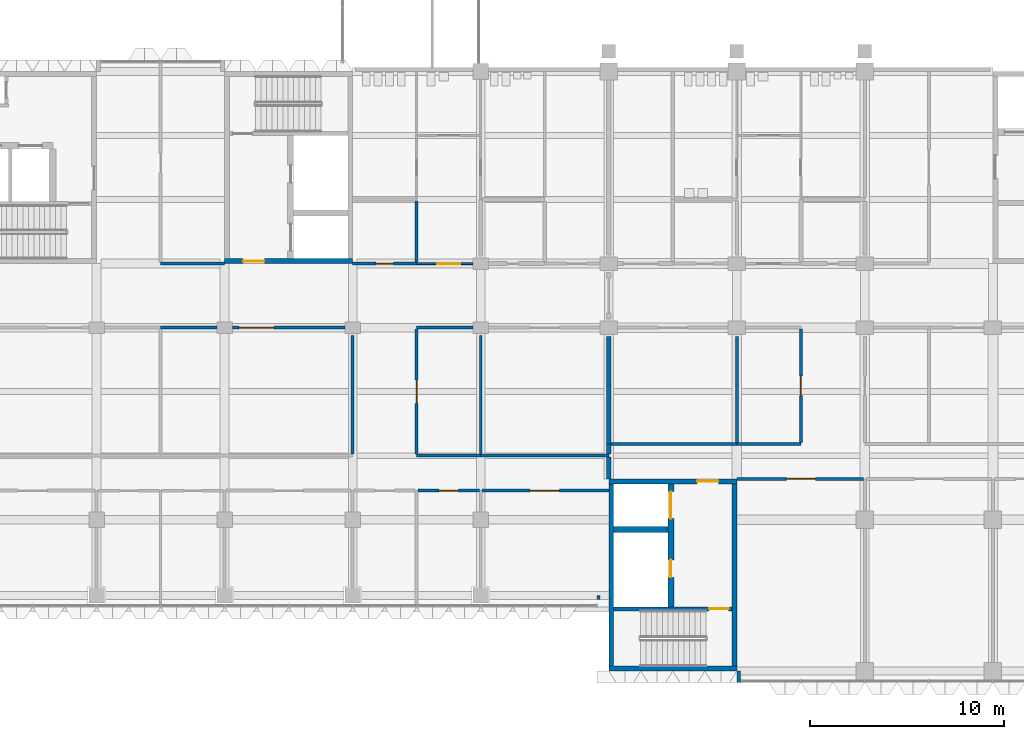
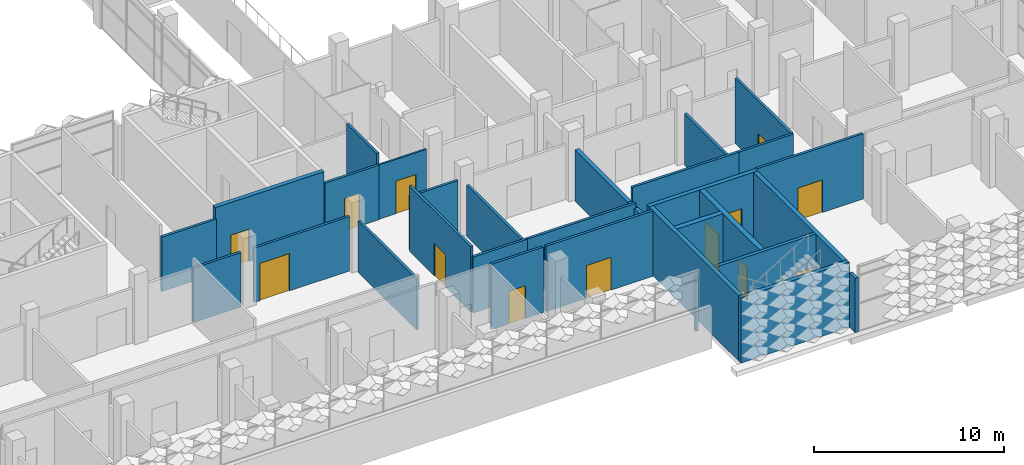
# One storey, part 42 of 102: 32 walls, 13 doors, 13 openings.
"""IFC4 building model written with IfcOpenShell, lengths in metres."""

from ifc_helpers import new_model, si_unit, direction, frame, frame_2d, origin, place, context, subcontext, project, spatial, rectangle, extrude, material, layer, layer_set, type_object, element, fill, save


model = new_model("IFC4")

# Units and contexts
model_context = context("Model", 3, precision=1e-05, world=origin(), true_north=direction((0.0, 1.0)))
body_context = subcontext(model_context, "Body", "Model", "MODEL_VIEW")
ifc_project = project(units=[si_unit("LENGTHUNIT", "METRE"), si_unit("AREAUNIT", "SQUARE_METRE"), si_unit("VOLUMEUNIT", "CUBIC_METRE"), si_unit("PLANEANGLEUNIT", "RADIAN"), si_unit("MASSUNIT", "GRAM", prefix="KILO")], contexts=[model_context])

# Site, building, storey
site_placement = place(None, origin())
site = spatial("IfcSite", under=ifc_project, at=site_placement, CompositionType="ELEMENT")
building_placement = place(site_placement, origin())
building = spatial("IfcBuilding", under=site, at=building_placement, Name="Lantern Court Research Institute", CompositionType="ELEMENT")
storey_placement = place(building_placement, frame((0.0, 0.0, 9.89990234375)))
storey = spatial("IfcBuildingStorey", under=building, at=storey_placement, Name="L02", CompositionType="ELEMENT", Elevation=9.89990234375)

# Walls
ifc_material_1 = material(Name="Aluminium alloy 6063-T6", Category="aluminium")
ifc_layer_1 = layer(ifc_material_1, 0.14990234375)
ifc_layer_set_1 = layer_set([ifc_layer_1], Name="Aluminium alloy 6063-T6")
wall_type_1 = type_object("IfcWallType", Name="Entrance screen wall 150 aluminium", PredefinedType="STANDARD", material=ifc_layer_set_1)
wall_1_placement = place(storey_placement, frame((52.27490234375, -4.10009765625, 0.0), z_axis=(0.0, 0.0, 1.0), x_axis=(0.0, 1.0, 0.0)))
element("IfcWall", 1, at=wall_1_placement, inside=storey, type_object=wall_type_1, Name="Exterior wall EW143", PredefinedType="STANDARD", context=body_context, shape_type="SweptSolid", body=[
    extrude(rectangle(XDim=0.2001953125, YDim=0.14990234375, at=frame_2d((0.10009765625, 0.0))), origin(), (0.0, 0.0, 1.0), 3.5),
])
ifc_material_2 = material(Name="Fire-rated gypsum board partition, mineral wool filled")
ifc_layer_2 = layer(ifc_material_2, 0.14990234375)
ifc_layer_set_2 = layer_set([ifc_layer_2], Name="Fire-rated gypsum board partition, mineral wool filled")
wall_type_2 = type_object("IfcWallType", Name="Laboratory partition 150 EI 60", PredefinedType="PARTITIONING", material=ifc_layer_set_2)
wall_2_placement = place(storey_placement, frame((33.0, 13.199951171875, 0.0), z_axis=(0.0, 0.0, 1.0), x_axis=(-1.0, 0.0, 0.0)))
element("IfcWall", 2, at=wall_2_placement, inside=storey, type_object=wall_type_2, Name="Laboratory partition 150 EI 60", PredefinedType="PARTITIONING", context=body_context, shape_type="SweptSolid", body=[
    extrude(rectangle(XDim=3.300048828125, YDim=0.14990234375, at=frame_2d((1.64990234375, 0.0))), origin(), (0.0, 0.0, 1.0), 3.5),
])

# Wall, opening, door
wall_3_placement = place(storey_placement, frame((42.89990234375, 13.199951171875, 0.0), z_axis=(0.0, 0.0, 1.0), x_axis=(-1.0, 0.0, 0.0)))
wall_3 = element("IfcWall", 3, at=wall_3_placement, inside=storey, type_object=wall_type_2, Name="Laboratory partition 150 EI 60", PredefinedType="PARTITIONING", context=body_context, shape_type="SweptSolid", body=[
    extrude(rectangle(XDim=3.2998046875, YDim=0.14990234375, at=frame_2d((1.64990234375, 0.0))), origin(), (0.0, 0.0, 1.0), 3.5),
])
opening_1_placement = place(wall_3_placement, frame((1.199951171875, 0.0, 0.0)))
opening_1 = element("IfcOpeningElement", 4, at=opening_1_placement, cuts=wall_3, Name="Opening D4205", PredefinedType="OPENING", context=body_context, shape_type="SweptSolid", body=[
    extrude(rectangle(XDim=0.89990234375, YDim=2.10009765625, at=frame_2d((0.449951171875, 1.050048828125))), frame((0.0, 0.0849609375, 0.0), z_axis=(0.0, -1.0, 0.0), x_axis=(1.0, 0.0, 0.0)), (0.0, 0.0, 1.0), 0.169921875),
])
ifc_material_3 = material(Name="Solid-core timber door leaf", Category="wood")
ifc_layer_3 = layer(ifc_material_3, 0.053955078125)
ifc_layer_set_3 = layer_set([ifc_layer_3], Name="Solid-core timber door leaf")
door_type_1 = type_object("IfcDoorType", Name="Cleaners store door 900 x 2100 single FD30S", OperationType="NOTDEFINED", PredefinedType="DOOR", material=ifc_layer_set_3)
door_1_placement = place(opening_1_placement, origin())
door_1 = element("IfcDoor", 5, at=door_1_placement, inside=storey, type_object=door_type_1, Name="Door D4205", OperationType="SINGLE_SWING_LEFT", OverallHeight=2.10009765625, OverallWidth=0.89990234375, PredefinedType="DOOR", context=body_context, shape_type="SweptSolid", body=[
    extrude(rectangle(XDim=0.89990234375, YDim=2.10009765625, at=frame_2d((0.449951171875, 1.050048828125))), frame((0.0, 0.02685546875, 0.0), z_axis=(0.0, -1.0, 0.0), x_axis=(1.0, 0.0, 0.0)), (0.0, 0.0, 1.0), 0.053955078125),
])
fill(opening_1, door_1)

# Wall
wall_4_placement = place(storey_placement, frame((29.699951171875, 9.89990234375, 0.0), z_axis=(0.0, 0.0, 1.0), x_axis=(1.0, 0.0, 0.0)))
element("IfcWall", 6, at=wall_4_placement, inside=storey, type_object=wall_type_2, Name="Laboratory partition 150 EI 60", PredefinedType="PARTITIONING", context=body_context, shape_type="SweptSolid", body=[
    extrude(rectangle(XDim=2.900146484375, YDim=0.14990234375, at=frame_2d((1.4501953125, 0.0))), origin(), (0.0, 0.0, 1.0), 3.5),
])

# Wall, opening, door
wall_5_placement = place(storey_placement, frame((33.39990234375, 9.89990234375, 0.0), z_axis=(0.0, 0.0, 1.0), x_axis=(1.0, 0.0, 0.0)))
wall_5 = element("IfcWall", 7, at=wall_5_placement, inside=storey, type_object=wall_type_2, Name="Laboratory partition 150 EI 60", PredefinedType="PARTITIONING", context=body_context, shape_type="SweptSolid", body=[
    extrude(rectangle(XDim=5.800048828125, YDim=0.14990234375, at=frame_2d((2.89990234375, 0.0))), origin(), (0.0, 0.0, 1.0), 3.5),
])
opening_2_placement = place(wall_5_placement, frame((0.35009765625, 0.0, 0.0)))
opening_2 = element("IfcOpeningElement", 8, at=opening_2_placement, cuts=wall_5, Name="Opening D4227", PredefinedType="OPENING", context=body_context, shape_type="SweptSolid", body=[
    extrude(rectangle(XDim=1.800048828125, YDim=2.39990234375, at=frame_2d((0.89990234375, 1.199951171875))), frame((0.0, 0.0849609375, 0.0), z_axis=(0.0, -1.0, 0.0), x_axis=(1.0, 0.0, 0.0)), (0.0, 0.0, 1.0), 0.169921875),
])
ifc_material_4 = material(Name="Solid-core timber door leaf with vision panel", Category="wood")
ifc_layer_4 = layer(ifc_material_4, 0.053955078125)
ifc_layer_set_4 = layer_set([ifc_layer_4], Name="Solid-core timber door leaf with vision panel")
door_type_2 = type_object("IfcDoorType", Name="Laboratory equipment door 1800 x 2400 pair FD30S", OperationType="DOUBLE_DOOR_SINGLE_SWING", PredefinedType="DOOR", material=ifc_layer_set_4)
door_2_placement = place(opening_2_placement, origin())
door_2 = element("IfcDoor", 9, at=door_2_placement, inside=storey, type_object=door_type_2, Name="Door D4227", OperationType="DOUBLE_DOOR_SINGLE_SWING", OverallHeight=2.39990234375, OverallWidth=1.800048828125, PredefinedType="DOOR", context=body_context, shape_type="SweptSolid", body=[
    extrude(rectangle(XDim=1.800048828125, YDim=2.39990234375, at=frame_2d((0.89990234375, 1.199951171875))), frame((0.0, 0.02685546875, 0.0), z_axis=(0.0, -1.0, 0.0), x_axis=(1.0, 0.0, 0.0)), (0.0, 0.0, 1.0), 0.053955078125),
])
fill(opening_2, door_2)

# Walls
wall_6_placement = place(storey_placement, frame((42.89990234375, 9.89990234375, 0.0), z_axis=(0.0, 0.0, 1.0), x_axis=(1.0, 0.0, 0.0)))
element("IfcWall", 10, at=wall_6_placement, inside=storey, type_object=wall_type_2, Name="Laboratory partition 150 EI 60", PredefinedType="PARTITIONING", context=body_context, shape_type="SweptSolid", body=[
    extrude(rectangle(XDim=2.900146484375, YDim=0.14990234375, at=frame_2d((1.4501953125, 0.0))), origin(), (0.0, 0.0, 1.0), 3.5),
])
wall_7_placement = place(storey_placement, frame((42.89990234375, 13.27490234375, 0.0), z_axis=(0.0, 0.0, 1.0), x_axis=(0.0, 1.0, 0.0)))
element("IfcWall", 11, at=wall_7_placement, inside=storey, type_object=wall_type_2, Name="Laboratory partition 150 EI 60", PredefinedType="PARTITIONING", context=body_context, shape_type="SweptSolid", body=[
    extrude(rectangle(XDim=3.150146484375, YDim=0.14990234375, at=frame_2d((1.5751953125, 0.0))), origin(), (0.0, 0.0, 1.0), 4.2001953125),
])

# Wall, opening, door
wall_8_placement = place(storey_placement, frame((46.125, 1.5, 0.0), z_axis=(0.0, 0.0, 1.0), x_axis=(-1.0, 0.0, 0.0)))
wall_8 = element("IfcWall", 12, at=wall_8_placement, inside=storey, type_object=wall_type_2, Name="Laboratory partition 150 EI 60", PredefinedType="PARTITIONING", context=body_context, shape_type="SweptSolid", body=[
    extrude(rectangle(XDim=3.14990234375, YDim=0.14990234375, at=frame_2d((1.574951171875, 0.0))), origin(), (0.0, 0.0, 1.0), 4.2001953125),
])
opening_3_placement = place(wall_8_placement, frame((1.074951171875, 0.0, 0.0)))
opening_3 = element("IfcOpeningElement", 13, at=opening_3_placement, cuts=wall_8, Name="Opening D4222", PredefinedType="OPENING", context=body_context, shape_type="SweptSolid", body=[
    extrude(rectangle(XDim=1.0, YDim=2.10009765625, at=frame_2d((0.5, 1.050048828125))), frame((0.0, 0.0849609375, 0.0), z_axis=(0.0, -1.0, 0.0), x_axis=(1.0, 0.0, 0.0)), (0.0, 0.0, 1.0), 0.169921875),
])
ifc_material_5 = material(Name="Solid-core timber door leaf with vision panel", Category="wood")
ifc_layer_5 = layer(ifc_material_5, 0.053955078125)
ifc_layer_set_5 = layer_set([ifc_layer_5], Name="Solid-core timber door leaf with vision panel")
door_type_3 = type_object("IfcDoorType", Name="Laboratory door 1000 x 2100 single FD30S", OperationType="NOTDEFINED", PredefinedType="DOOR", material=ifc_layer_set_5)
door_3_placement = place(opening_3_placement, origin())
door_3 = element("IfcDoor", 14, at=door_3_placement, inside=storey, type_object=door_type_3, Name="Door D4222", OperationType="SINGLE_SWING_LEFT", OverallHeight=2.10009765625, OverallWidth=1.0, PredefinedType="DOOR", context=body_context, shape_type="SweptSolid", body=[
    extrude(rectangle(XDim=1.0, YDim=2.10009765625, at=frame_2d((0.5, 1.050048828125))), frame((0.0, 0.02685546875, 0.0), z_axis=(0.0, -1.0, 0.0), x_axis=(1.0, 0.0, 0.0)), (0.0, 0.0, 1.0), 0.053955078125),
])
fill(opening_3, door_3)

wall_9_placement = place(storey_placement, frame((52.7998046875, 1.5, 0.0), z_axis=(0.0, 0.0, 1.0), x_axis=(-1.0, 0.0, 0.0)))
wall_9 = element("IfcWall", 15, at=wall_9_placement, inside=storey, type_object=wall_type_2, Name="Laboratory partition 150 EI 60", PredefinedType="PARTITIONING", context=body_context, shape_type="SweptSolid", body=[
    extrude(rectangle(XDim=6.52490234375, YDim=0.14990234375, at=frame_2d((3.262451171875, 0.0))), origin(), (0.0, 0.0, 1.0), 4.2001953125),
])
opening_4_placement = place(wall_9_placement, frame((2.5498046875, 0.0, 0.0)))
opening_4 = element("IfcOpeningElement", 16, at=opening_4_placement, cuts=wall_9, Name="Opening D4223", PredefinedType="OPENING", context=body_context, shape_type="SweptSolid", body=[
    extrude(rectangle(XDim=1.5, YDim=2.10009765625, at=frame_2d((0.75, 1.050048828125))), frame((0.0, 0.0849609375, 0.0), z_axis=(0.0, -1.0, 0.0), x_axis=(1.0, 0.0, 0.0)), (0.0, 0.0, 1.0), 0.169921875),
])
ifc_material_6 = material(Name="Solid-core timber door leaf with vision panel", Category="wood")
ifc_layer_6 = layer(ifc_material_6, 0.053955078125)
ifc_layer_set_6 = layer_set([ifc_layer_6], Name="Solid-core timber door leaf with vision panel")
door_type_4 = type_object("IfcDoorType", Name="Laboratory double door 1500 x 2100 pair FD30S", OperationType="DOUBLE_DOOR_SINGLE_SWING", PredefinedType="DOOR", material=ifc_layer_set_6)
door_4_placement = place(opening_4_placement, origin())
door_4 = element("IfcDoor", 17, at=door_4_placement, inside=storey, type_object=door_type_4, Name="Door D4223", OperationType="DOUBLE_DOOR_SINGLE_SWING", OverallHeight=2.10009765625, OverallWidth=1.5, PredefinedType="DOOR", context=body_context, shape_type="SweptSolid", body=[
    extrude(rectangle(XDim=1.5, YDim=2.10009765625, at=frame_2d((0.75, 1.050048828125))), frame((0.0, 0.02685546875, 0.0), z_axis=(0.0, -1.0, 0.0), x_axis=(1.0, 0.0, 0.0)), (0.0, 0.0, 1.0), 0.053955078125),
])
fill(opening_4, door_4)

# Walls
wall_10_placement = place(storey_placement, frame((46.199951171875, 3.300048828125, 0.0), z_axis=(0.0, 0.0, 1.0), x_axis=(-1.0, 0.0, 0.0)))
element("IfcWall", 18, at=wall_10_placement, inside=storey, type_object=wall_type_2, Name="Laboratory partition 150 EI 60", PredefinedType="PARTITIONING", context=body_context, shape_type="SweptSolid", body=[
    extrude(rectangle(XDim=3.300048828125, YDim=0.14990234375, at=frame_2d((1.64990234375, 0.0))), origin(), (0.0, 0.0, 1.0), 3.60009765625),
])
wall_11_placement = place(storey_placement, frame((52.800048828125, 3.300048828125, 0.0), z_axis=(0.0, 0.0, 1.0), x_axis=(-1.0, 0.0, 0.0)))
element("IfcWall", 19, at=wall_11_placement, inside=storey, type_object=wall_type_2, Name="Laboratory partition 150 EI 60", PredefinedType="PARTITIONING", context=body_context, shape_type="SweptSolid", body=[
    extrude(rectangle(XDim=6.60009765625, YDim=0.14990234375, at=frame_2d((3.300048828125, 0.0))), origin(), (0.0, 0.0, 1.0), 3.60009765625),
])
wall_12_placement = place(storey_placement, frame((39.60009765625, 3.375, 0.0), z_axis=(0.0, 0.0, 1.0), x_axis=(0.0, 1.0, 0.0)))
element("IfcWall", 20, at=wall_12_placement, inside=storey, type_object=wall_type_2, Name="Laboratory partition 150 EI 60", PredefinedType="PARTITIONING", context=body_context, shape_type="SweptSolid", body=[
    extrude(rectangle(XDim=6.125, YDim=0.14990234375, at=frame_2d((3.0625, 0.0))), origin(), (0.0, 0.0, 1.0), 3.300048828125),
])

# Wall, opening, door
wall_13_placement = place(storey_placement, frame((42.89990234375, 3.375, 0.0), z_axis=(0.0, 0.0, 1.0), x_axis=(0.0, 1.0, 0.0)))
wall_13 = element("IfcWall", 21, at=wall_13_placement, inside=storey, type_object=wall_type_2, Name="Laboratory partition 150 EI 60", PredefinedType="PARTITIONING", context=body_context, shape_type="SweptSolid", body=[
    extrude(rectangle(XDim=6.449951171875, YDim=0.14990234375, at=frame_2d((3.22509765625, 0.0))), origin(), (0.0, 0.0, 1.0), 4.2001953125),
])
opening_5_placement = place(wall_13_placement, frame((2.625, 0.0, 0.0)))
opening_5 = element("IfcOpeningElement", 22, at=opening_5_placement, cuts=wall_13, Name="Opening D4228", PredefinedType="OPENING", context=body_context, shape_type="SweptSolid", body=[
    extrude(rectangle(XDim=1.199951171875, YDim=2.10009765625, at=frame_2d((0.60009765625, 1.050048828125))), frame((0.0, 0.0849609375, 0.0), z_axis=(0.0, -1.0, 0.0), x_axis=(1.0, 0.0, 0.0)), (0.0, 0.0, 1.0), 0.169921875),
])
ifc_material_7 = material(Name="Solid-core timber door leaf", Category="wood")
ifc_layer_7 = layer(ifc_material_7, 0.053955078125)
ifc_layer_set_7 = layer_set([ifc_layer_7], Name="Solid-core timber door leaf")
door_type_5 = type_object("IfcDoorType", Name="Cold room door 1200 x 2100 single FD30S", OperationType="NOTDEFINED", PredefinedType="DOOR", material=ifc_layer_set_7)
door_5_placement = place(opening_5_placement, origin())
door_5 = element("IfcDoor", 23, at=door_5_placement, inside=storey, type_object=door_type_5, Name="Door D4228", OperationType="SINGLE_SWING_LEFT", OverallHeight=2.10009765625, OverallWidth=1.199951171875, PredefinedType="DOOR", context=body_context, shape_type="SweptSolid", body=[
    extrude(rectangle(XDim=1.199951171875, YDim=2.10009765625, at=frame_2d((0.60009765625, 1.050048828125))), frame((0.0, 0.02685546875, 0.0), z_axis=(0.0, -1.0, 0.0), x_axis=(1.0, 0.0, 0.0)), (0.0, 0.0, 1.0), 0.053955078125),
])
fill(opening_5, door_5)

# Wall
wall_14_placement = place(storey_placement, frame((46.199951171875, 3.375, 0.0), z_axis=(0.0, 0.0, 1.0), x_axis=(0.0, 1.0, 0.0)))
element("IfcWall", 24, at=wall_14_placement, inside=storey, type_object=wall_type_2, Name="Laboratory partition 150 EI 60", PredefinedType="PARTITIONING", context=body_context, shape_type="SweptSolid", body=[
    extrude(rectangle(XDim=6.125, YDim=0.14990234375, at=frame_2d((3.0625, 0.0))), origin(), (0.0, 0.0, 1.0), 3.300048828125),
])

# Wall, opening, door
wall_15_placement = place(storey_placement, frame((65.925048828125, 2.10009765625, 0.0), z_axis=(0.0, 0.0, 1.0), x_axis=(-1.0, 0.0, 0.0)))
wall_15 = element("IfcWall", 25, at=wall_15_placement, inside=storey, type_object=wall_type_2, Name="Laboratory partition 150 EI 60", PredefinedType="PARTITIONING", context=body_context, shape_type="SweptSolid", body=[
    extrude(rectangle(XDim=6.52490234375, YDim=0.14990234375, at=frame_2d((3.262451171875, 0.0))), origin(), (0.0, 0.0, 1.0), 4.2001953125),
])
opening_6_placement = place(wall_15_placement, frame((2.47509765625, 0.0, 0.0)))
opening_6 = element("IfcOpeningElement", 26, at=opening_6_placement, cuts=wall_15, Name="Opening D5209", PredefinedType="OPENING", context=body_context, shape_type="SweptSolid", body=[
    extrude(rectangle(XDim=1.5, YDim=2.10009765625, at=frame_2d((0.75, 1.050048828125))), frame((0.0, 0.0849609375, 0.0), z_axis=(0.0, -1.0, 0.0), x_axis=(1.0, 0.0, 0.0)), (0.0, 0.0, 1.0), 0.169921875),
])
door_6_placement = place(opening_6_placement, origin())
door_6 = element("IfcDoor", 27, at=door_6_placement, inside=storey, type_object=door_type_4, Name="Door D5209", OperationType="DOUBLE_DOOR_SINGLE_SWING", OverallHeight=2.10009765625, OverallWidth=1.5, PredefinedType="DOOR", context=body_context, shape_type="SweptSolid", body=[
    extrude(rectangle(XDim=1.5, YDim=2.10009765625, at=frame_2d((0.75, 1.050048828125))), frame((0.0, 0.02685546875, 0.0), z_axis=(0.0, -1.0, 0.0), x_axis=(1.0, 0.0, 0.0)), (0.0, 0.0, 1.0), 0.053955078125),
])
fill(opening_6, door_6)

# Walls
wall_16_placement = place(storey_placement, frame((59.39990234375, 3.89990234375, 0.0), z_axis=(0.0, 0.0, 1.0), x_axis=(-1.0, 0.0, 0.0)))
element("IfcWall", 28, at=wall_16_placement, inside=storey, type_object=wall_type_2, Name="Laboratory partition 150 EI 60", PredefinedType="PARTITIONING", context=body_context, shape_type="SweptSolid", body=[
    extrude(rectangle(XDim=6.474853515625, YDim=0.14990234375, at=frame_2d((3.2373046875, 0.0))), origin(), (0.0, 0.0, 1.0), 4.2001953125),
])
wall_17_placement = place(storey_placement, frame((62.699951171875, 3.89990234375, 0.0), z_axis=(0.0, 0.0, 1.0), x_axis=(-1.0, 0.0, 0.0)))
element("IfcWall", 29, at=wall_17_placement, inside=storey, type_object=wall_type_2, Name="Laboratory partition 150 EI 60", PredefinedType="PARTITIONING", context=body_context, shape_type="SweptSolid", body=[
    extrude(rectangle(XDim=3.300048828125, YDim=0.14990234375, at=frame_2d((1.64990234375, 0.0))), origin(), (0.0, 0.0, 1.0), 4.2001953125),
])
wall_18_placement = place(storey_placement, frame((59.39990234375, 3.97509765625, 0.0), z_axis=(0.0, 0.0, 1.0), x_axis=(0.0, 1.0, 0.0)))
element("IfcWall", 30, at=wall_18_placement, inside=storey, type_object=wall_type_2, Name="Laboratory partition 150 EI 60", PredefinedType="PARTITIONING", context=body_context, shape_type="SweptSolid", body=[
    extrude(rectangle(XDim=5.474853515625, YDim=0.14990234375, at=frame_2d((2.7373046875, 0.0))), origin(), (0.0, 0.0, 1.0), 3.300048828125),
])

# Wall, opening, door
wall_19_placement = place(storey_placement, frame((62.699951171875, 9.824951171875, 0.0), z_axis=(0.0, 0.0, 1.0), x_axis=(0.0, -1.0, 0.0)))
wall_19 = element("IfcWall", 31, at=wall_19_placement, inside=storey, type_object=wall_type_2, Name="Laboratory partition 150 EI 60", PredefinedType="PARTITIONING", context=body_context, shape_type="SweptSolid", body=[
    extrude(rectangle(XDim=5.849853515625, YDim=0.14990234375, at=frame_2d((2.9248046875, 0.0))), origin(), (0.0, 0.0, 1.0), 4.2001953125),
])
opening_7_placement = place(wall_19_placement, frame((2.425048828125, 0.0, 0.0)))
opening_7 = element("IfcOpeningElement", 32, at=opening_7_placement, cuts=wall_19, Name="Opening D5213", PredefinedType="OPENING", context=body_context, shape_type="SweptSolid", body=[
    extrude(rectangle(XDim=1.0, YDim=2.10009765625, at=frame_2d((0.5, 1.050048828125))), frame((0.0, 0.0849609375, 0.0), z_axis=(0.0, -1.0, 0.0), x_axis=(1.0, 0.0, 0.0)), (0.0, 0.0, 1.0), 0.169921875),
])
door_7_placement = place(opening_7_placement, origin())
door_7 = element("IfcDoor", 33, at=door_7_placement, inside=storey, type_object=door_type_3, Name="Door D5213", OperationType="SINGLE_SWING_RIGHT", OverallHeight=2.10009765625, OverallWidth=1.0, PredefinedType="DOOR", context=body_context, shape_type="SweptSolid", body=[
    extrude(rectangle(XDim=1.0, YDim=2.10009765625, at=frame_2d((0.5, 1.050048828125))), frame((0.0, 0.02685546875, 0.0), z_axis=(0.0, -1.0, 0.0), x_axis=(1.0, 0.0, 0.0)), (0.0, 0.0, 1.0), 0.053955078125),
])
fill(opening_7, door_7)

ifc_material_8 = material(Name="Gypsum board partition, mineral wool filled")
ifc_layer_8 = layer(ifc_material_8, 0.10009765625)
ifc_layer_set_8 = layer_set([ifc_layer_8], Name="Gypsum board partition, mineral wool filled")
wall_type_3 = type_object("IfcWallType", Name="Partition 100", PredefinedType="PARTITIONING", material=ifc_layer_set_8)
wall_20_placement = place(storey_placement, frame((42.89990234375, 13.199951171875, 0.0), z_axis=(0.0, 0.0, 1.0), x_axis=(1.0, 0.0, 0.0)))
wall_20 = element("IfcWall", 34, at=wall_20_placement, inside=storey, type_object=wall_type_3, Name="Partition 100", PredefinedType="PARTITIONING", context=body_context, shape_type="SweptSolid", body=[
    extrude(rectangle(XDim=2.900146484375, YDim=0.10009765625, at=frame_2d((1.4501953125, 0.0))), origin(), (0.0, 0.0, 1.0), 3.5),
])
opening_8_placement = place(wall_20_placement, frame((1.050048828125, 0.0, 0.0)))
opening_8 = element("IfcOpeningElement", 35, at=opening_8_placement, cuts=wall_20, Name="Opening D4207", PredefinedType="OPENING", context=body_context, shape_type="SweptSolid", body=[
    extrude(rectangle(XDim=1.199951171875, YDim=2.10009765625, at=frame_2d((0.60009765625, 1.050048828125))), frame((0.0, 0.06005859375, 0.0), z_axis=(0.0, -1.0, 0.0), x_axis=(1.0, 0.0, 0.0)), (0.0, 0.0, 1.0), 0.1201171875),
])
ifc_material_9 = material(Name="Solid-core timber door leaf", Category="wood")
ifc_layer_9 = layer(ifc_material_9, 0.0439453125)
ifc_layer_set_9 = layer_set([ifc_layer_9], Name="Solid-core timber door leaf")
door_type_6 = type_object("IfcDoorType", Name="WC vestibule door 1200 x 2100 single NOT RATED", OperationType="NOTDEFINED", PredefinedType="DOOR", material=ifc_layer_set_9)
door_8_placement = place(opening_8_placement, origin())
door_8 = element("IfcDoor", 36, at=door_8_placement, inside=storey, type_object=door_type_6, Name="Door D4207", OperationType="SINGLE_SWING_RIGHT", OverallHeight=2.10009765625, OverallWidth=1.199951171875, PredefinedType="DOOR", context=body_context, shape_type="SweptSolid", body=[
    extrude(rectangle(XDim=1.199951171875, YDim=2.10009765625, at=frame_2d((0.60009765625, 1.050048828125))), frame((0.0, 0.02197265625, 0.0), z_axis=(0.0, -1.0, 0.0), x_axis=(1.0, 0.0, 0.0)), (0.0, 0.0, 1.0), 0.0439453125),
])
fill(opening_8, door_8)

# Walls
ifc_material_10 = material(Name="Fire-rated gypsum board partition, double stud, mineral wool filled")
ifc_layer_10 = layer(ifc_material_10, 0.25)
ifc_layer_set_10 = layer_set([ifc_layer_10], Name="Fire-rated gypsum board partition, double stud, mineral wool filled")
wall_type_4 = type_object("IfcWallType", Name="Plant compartment wall 250 EI 120", PredefinedType="PARTITIONING", material=ifc_layer_set_10)
wall_21_placement = place(storey_placement, frame((52.800048828125, 2.10009765625, 0.0), z_axis=(0.0, 0.0, 1.0), x_axis=(0.0, 1.0, 0.0)))
element("IfcWall", 37, at=wall_21_placement, inside=storey, type_object=wall_type_4, Name="Plant compartment wall 250 EI 120", PredefinedType="PARTITIONING", context=body_context, shape_type="SweptSolid", body=[
    extrude(rectangle(XDim=1.125, YDim=0.25, at=frame_2d((0.5625, 0.0))), origin(), (0.0, 0.0, 1.0), 3.300048828125),
])
wall_22_placement = place(storey_placement, frame((52.800048828125, 3.375, 0.0), z_axis=(0.0, 0.0, 1.0), x_axis=(0.0, 1.0, 0.0)))
element("IfcWall", 38, at=wall_22_placement, inside=storey, type_object=wall_type_4, Name="Plant compartment wall 250 EI 120", PredefinedType="PARTITIONING", context=body_context, shape_type="SweptSolid", body=[
    extrude(rectangle(XDim=0.52490234375, YDim=0.25, at=frame_2d((0.262451171875, 0.0))), origin(), (0.0, 0.0, 1.0), 3.300048828125),
])
wall_23_placement = place(storey_placement, frame((52.800048828125, 3.89990234375, 0.0), z_axis=(0.0, 0.0, 1.0), x_axis=(0.0, 1.0, 0.0)))
element("IfcWall", 39, at=wall_23_placement, inside=storey, type_object=wall_type_4, Name="Plant compartment wall 250 EI 120", PredefinedType="PARTITIONING", context=body_context, shape_type="SweptSolid", body=[
    extrude(rectangle(XDim=5.550048828125, YDim=0.25, at=frame_2d((2.77490234375, 0.0))), origin(), (0.0, 0.0, 1.0), 3.300048828125),
])

# Wall, opening, door
ifc_material_11 = material(Name="Concrete C40/50", Category="concrete")
ifc_layer_11 = layer(ifc_material_11, 0.25)
ifc_layer_set_11 = layer_set([ifc_layer_11], Name="Concrete C40/50")
wall_type_5 = type_object("IfcWallType", Name="RC core wall 250", PredefinedType="SHEAR", material=ifc_layer_set_11)
wall_24_placement = place(storey_placement, frame((33.0, 13.324951171875, 0.0), z_axis=(0.0, 0.0, 1.0), x_axis=(1.0, 0.0, 0.0)))
wall_24 = element("IfcWall", 40, at=wall_24_placement, inside=storey, type_object=wall_type_5, Name="South wall of core BC-E", PredefinedType="SHEAR", context=body_context, shape_type="SweptSolid", body=[
    extrude(rectangle(XDim=6.60009765625, YDim=0.25, at=frame_2d((3.300048828125, 0.0))), origin(), (0.0, 0.0, 1.0), 4.2001953125),
])
opening_9_placement = place(wall_24_placement, frame((0.949951171875, 0.0, 0.0)))
opening_9 = element("IfcOpeningElement", 41, at=opening_9_placement, cuts=wall_24, Name="Opening D7080", PredefinedType="OPENING", context=body_context, shape_type="SweptSolid", body=[
    extrude(rectangle(XDim=1.10009765625, YDim=2.10009765625, at=frame_2d((0.550048828125, 1.050048828125))), frame((0.0, 0.135009765625, 0.0), z_axis=(0.0, -1.0, 0.0), x_axis=(1.0, 0.0, 0.0)), (0.0, 0.0, 1.0), 0.27001953125),
])
ifc_material_12 = material(Name="Steel fire door leaf with smoke seals", Category="steel")
door_type_7 = type_object("IfcDoorType", Name="Door 1100 x 2100 fire rated FD60S", OperationType="NOTDEFINED", PredefinedType="DOOR", material=ifc_material_12)
door_9_placement = place(opening_9_placement, origin())
door_9 = element("IfcDoor", 42, at=door_9_placement, inside=storey, type_object=door_type_7, Name="Lobby door", OperationType="SINGLE_SWING_RIGHT", OverallHeight=2.10009765625, OverallWidth=1.10009765625, PredefinedType="DOOR", context=body_context, shape_type="SweptSolid", body=[
    extrude(rectangle(XDim=1.10009765625, YDim=2.10009765625, at=frame_2d((0.550048828125, 1.050048828125))), frame((0.0, 0.02490234375, 0.0), z_axis=(0.0, -1.0, 0.0), x_axis=(1.0, 0.0, 0.0)), (0.0, 0.0, 1.0), 0.050048828125),
])
fill(opening_9, door_9)

wall_25_placement = place(storey_placement, frame((59.39990234375, 1.97509765625, 0.0), z_axis=(0.0, 0.0, 1.0), x_axis=(-1.0, 0.0, 0.0)))
wall_25 = element("IfcWall", 43, at=wall_25_placement, inside=storey, type_object=wall_type_5, Name="North wall of core TC-W", PredefinedType="SHEAR", context=body_context, shape_type="SweptSolid", body=[
    extrude(rectangle(XDim=6.599853515625, YDim=0.25, at=frame_2d((3.2998046875, 0.0))), origin(), (0.0, 0.0, 1.0), 4.2001953125),
])
opening_10_placement = place(wall_25_placement, frame((0.949951171875, 0.0, 0.0)))
opening_10 = element("IfcOpeningElement", 44, at=opening_10_placement, cuts=wall_25, Name="Opening D7109", PredefinedType="OPENING", context=body_context, shape_type="SweptSolid", body=[
    extrude(rectangle(XDim=1.10009765625, YDim=2.10009765625, at=frame_2d((0.550048828125, 1.050048828125))), frame((0.0, 0.135009765625, 0.0), z_axis=(0.0, -1.0, 0.0), x_axis=(1.0, 0.0, 0.0)), (0.0, 0.0, 1.0), 0.27001953125),
])
door_10_placement = place(opening_10_placement, origin())
door_10 = element("IfcDoor", 45, at=door_10_placement, inside=storey, type_object=door_type_7, Name="Lobby door", OperationType="SINGLE_SWING_RIGHT", OverallHeight=2.10009765625, OverallWidth=1.10009765625, PredefinedType="DOOR", context=body_context, shape_type="SweptSolid", body=[
    extrude(rectangle(XDim=1.10009765625, YDim=2.10009765625, at=frame_2d((0.550048828125, 1.050048828125))), frame((0.0, 0.02490234375, 0.0), z_axis=(0.0, -1.0, 0.0), x_axis=(1.0, 0.0, 0.0)), (0.0, 0.0, 1.0), 0.050048828125),
])
fill(opening_10, door_10)

# Walls
for number, where, z_axis, x_axis, name in (
    (46, (59.27490234375, 1.85009765625, 0.0), (0.0, 0.0, 1.0), (0.0, -1.0, 0.0), "East wall of core TC-W"),
    (47, (52.925048828125, 1.85009765625, 0.0), (0.0, 0.0, 1.0), (0.0, -1.0, 0.0), "West wall of core TC-W"),
):
    element("IfcWall", number, at=place(storey_placement, frame(where, z_axis=z_axis, x_axis=x_axis)), inside=storey, type_object=wall_type_5, Name=name, PredefinedType="SHEAR", context=body_context, shape_type="SweptSolid", body=[
        extrude(rectangle(XDim=9.400146484375, YDim=0.25, at=frame_2d((4.7001953125, 0.0))), origin(), (0.0, 0.0, 1.0), 4.2001953125),
    ])
ifc_material_13 = material(Name="Concrete C40/50", Category="concrete")
ifc_layer_12 = layer(ifc_material_13, 0.25)
ifc_layer_set_12 = layer_set([ifc_layer_12], Name="Concrete C40/50")
wall_type_6 = type_object("IfcWallType", Name="RC core wall 250 facade", PredefinedType="SHEAR", material=ifc_layer_set_12)
wall_26_placement = place(storey_placement, frame((59.39990234375, -7.675048828125, 0.0), z_axis=(0.0, 0.0, 1.0), x_axis=(-1.0, 0.0, 0.0)))
element("IfcWall", 48, at=wall_26_placement, inside=storey, type_object=wall_type_6, Name="South wall of core TC-W", PredefinedType="SHEAR", context=body_context, shape_type="SweptSolid", body=[
    extrude(rectangle(XDim=6.599853515625, YDim=0.25, at=frame_2d((3.2998046875, 0.0))), origin(), (0.0, 0.0, 1.0), 4.2001953125),
])

# Wall, opening, door
ifc_material_14 = material(Name="Concrete C40/50", Category="concrete")
ifc_layer_13 = layer(ifc_material_14, 0.199951171875)
ifc_layer_set_13 = layer_set([ifc_layer_13], Name="Concrete C40/50")
wall_type_7 = type_object("IfcWallType", Name="RC shaft wall 200", PredefinedType="SHEAR", material=ifc_layer_set_13)
wall_27_placement = place(storey_placement, frame((59.14990234375, -4.60009765625, 0.0), z_axis=(0.0, 0.0, 1.0), x_axis=(-1.0, 0.0, 0.0)))
wall_27 = element("IfcWall", 49, at=wall_27_placement, inside=storey, type_object=wall_type_7, Name="Stair wall of core TC-W", PredefinedType="SHEAR", context=body_context, shape_type="SweptSolid", body=[
    extrude(rectangle(XDim=6.099853515625, YDim=0.199951171875, at=frame_2d((3.0498046875, 0.0))), origin(), (0.0, 0.0, 1.0), 4.2001953125),
])
opening_11_placement = place(wall_27_placement, frame((0.175048828125, 0.0, 0.0)))
opening_11 = element("IfcOpeningElement", 50, at=opening_11_placement, cuts=wall_27, Name="Opening D7110", PredefinedType="OPENING", context=body_context, shape_type="SweptSolid", body=[
    extrude(rectangle(XDim=1.0, YDim=2.10009765625, at=frame_2d((0.5, 1.050048828125))), frame((0.0, 0.10986328125, 0.0), z_axis=(0.0, -1.0, 0.0), x_axis=(1.0, 0.0, 0.0)), (0.0, 0.0, 1.0), 0.219970703125),
])
ifc_material_15 = material(Name="Steel fire door leaf with smoke seals", Category="steel")
door_type_8 = type_object("IfcDoorType", Name="Door 1000 x 2100 fire rated FD60S", OperationType="NOTDEFINED", PredefinedType="DOOR", material=ifc_material_15)
door_11_placement = place(opening_11_placement, origin())
door_11 = element("IfcDoor", 51, at=door_11_placement, inside=storey, type_object=door_type_8, Name="Stair door", OperationType="SINGLE_SWING_RIGHT", OverallHeight=2.10009765625, OverallWidth=1.0, PredefinedType="DOOR", context=body_context, shape_type="SweptSolid", body=[
    extrude(rectangle(XDim=1.0, YDim=2.10009765625, at=frame_2d((0.5, 1.050048828125))), frame((0.0, 0.02490234375, 0.0), z_axis=(0.0, -1.0, 0.0), x_axis=(1.0, 0.0, 0.0)), (0.0, 0.0, 1.0), 0.050048828125),
])
fill(opening_11, door_11)

# Wall, openings, doors
ifc_material_16 = material(Name="Concrete C40/50", Category="concrete")
ifc_layer_14 = layer(ifc_material_16, 0.300048828125)
ifc_layer_set_14 = layer_set([ifc_layer_14], Name="Concrete C40/50")
wall_type_8 = type_object("IfcWallType", Name="RC shaft wall 300", PredefinedType="SHEAR", material=ifc_layer_set_14)
wall_28_placement = place(storey_placement, frame((56.0, 1.85009765625, 0.0), z_axis=(0.0, 0.0, 1.0), x_axis=(0.0, -1.0, 0.0)))
wall_28 = element("IfcWall", 52, at=wall_28_placement, inside=storey, type_object=wall_type_8, Name="Lift shaft wall of core TC-W", PredefinedType="SHEAR", context=body_context, shape_type="SweptSolid", body=[
    extrude(rectangle(XDim=6.35009765625, YDim=0.300048828125, at=frame_2d((3.175048828125, 0.0))), origin(), (0.0, 0.0, 1.0), 4.2001953125),
])
opening_12_placement = place(wall_28_placement, frame((3.925048828125, 0.0, 0.0)))
opening_12 = element("IfcOpeningElement", 53, at=opening_12_placement, cuts=wall_28, Name="Opening D7108", PredefinedType="OPENING", context=body_context, shape_type="SweptSolid", body=[
    extrude(rectangle(XDim=0.89990234375, YDim=2.10009765625, at=frame_2d((0.449951171875, 1.050048828125))), frame((0.0, 0.159912109375, 0.0), z_axis=(0.0, -1.0, 0.0), x_axis=(1.0, 0.0, 0.0)), (0.0, 0.0, 1.0), 0.320068359375),
])
opening_13_placement = place(wall_28_placement, frame((0.39990234375, 0.0, 0.0)))
opening_13 = element("IfcOpeningElement", 54, at=opening_13_placement, cuts=wall_28, Name="Opening D7111", PredefinedType="OPENING", context=body_context, shape_type="SweptSolid", body=[
    extrude(rectangle(XDim=1.39990234375, YDim=2.39990234375, at=frame_2d((0.699951171875, 1.199951171875))), frame((0.0, 0.159912109375, 0.0), z_axis=(0.0, -1.0, 0.0), x_axis=(1.0, 0.0, 0.0)), (0.0, 0.0, 1.0), 0.320068359375),
])
ifc_material_17 = material(Name="Steel fire door leaf", Category="steel")
door_type_9 = type_object("IfcDoorType", Name="Door 900 x 2100 fire rated FD60", OperationType="NOTDEFINED", PredefinedType="DOOR", material=ifc_material_17)
door_12_placement = place(opening_12_placement, origin())
door_12 = element("IfcDoor", 55, at=door_12_placement, inside=storey, type_object=door_type_9, Name="Riser door", OperationType="SINGLE_SWING_RIGHT", OverallHeight=2.10009765625, OverallWidth=0.89990234375, PredefinedType="DOOR", context=body_context, shape_type="SweptSolid", body=[
    extrude(rectangle(XDim=0.89990234375, YDim=2.10009765625, at=frame_2d((0.449951171875, 1.050048828125))), frame((0.0, 0.02490234375, 0.0), z_axis=(0.0, -1.0, 0.0), x_axis=(1.0, 0.0, 0.0)), (0.0, 0.0, 1.0), 0.050048828125),
])
fill(opening_12, door_12)
ifc_material_18 = material(Name="Stainless steel landing door panels", Category="steel")
door_type_10 = type_object("IfcDoorType", Name="Lift landing door 1400 x 2400 sliding FD60", OperationType="DOUBLE_DOOR_SLIDING", PredefinedType="NOTDEFINED", material=ifc_material_18)
door_13_placement = place(opening_13_placement, origin())
door_13 = element("IfcDoor", 56, at=door_13_placement, inside=storey, type_object=door_type_10, Name="Landing door", OperationType="DOUBLE_DOOR_SLIDING", OverallHeight=2.39990234375, OverallWidth=1.39990234375, PredefinedType="NOTDEFINED", context=body_context, shape_type="SweptSolid", body=[
    extrude(rectangle(XDim=1.39990234375, YDim=2.39990234375, at=frame_2d((0.699951171875, 1.199951171875))), frame((0.0, 0.02490234375, 0.0), z_axis=(0.0, -1.0, 0.0), x_axis=(1.0, 0.0, 0.0)), (0.0, 0.0, 1.0), 0.050048828125),
])
fill(opening_13, door_13)

# Walls
wall_29_placement = place(storey_placement, frame((55.85009765625, -0.5, 0.0), z_axis=(0.0, 0.0, 1.0), x_axis=(-1.0, 0.0, 0.0)))
element("IfcWall", 57, at=wall_29_placement, inside=storey, type_object=wall_type_8, Name="Lift shaft wall of core TC-W", PredefinedType="SHEAR", context=body_context, shape_type="SweptSolid", body=[
    extrude(rectangle(XDim=2.800048828125, YDim=0.300048828125, at=frame_2d((1.39990234375, 0.0))), origin(), (0.0, 0.0, 1.0), 4.2001953125),
])
ifc_material_19 = material(Name="Concrete C40/50", Category="concrete")
ifc_layer_15 = layer(ifc_material_19, 0.199951171875)
ifc_layer_set_15 = layer_set([ifc_layer_15], Name="Concrete C40/50")
wall_type_9 = type_object("IfcWallType", Name="Return wall 200 concrete EI 120 aluminium faced", PredefinedType="STANDARD", material=ifc_layer_set_15)
wall_30_placement = place(storey_placement, frame((59.5, -7.800048828125, 0.0), z_axis=(0.0, 0.0, 1.0), x_axis=(0.0, -1.0, 0.0)))
element("IfcWall", 58, at=wall_30_placement, inside=storey, type_object=wall_type_9, Name="Core return wall 32", PredefinedType="STANDARD", context=body_context, shape_type="SweptSolid", body=[
    extrude(rectangle(XDim=0.599853515625, YDim=0.199951171875, at=frame_2d((0.2998046875, 0.0))), origin(), (0.0, 0.0, 1.0), 3.5),
])

save(model, "model.ifc")
